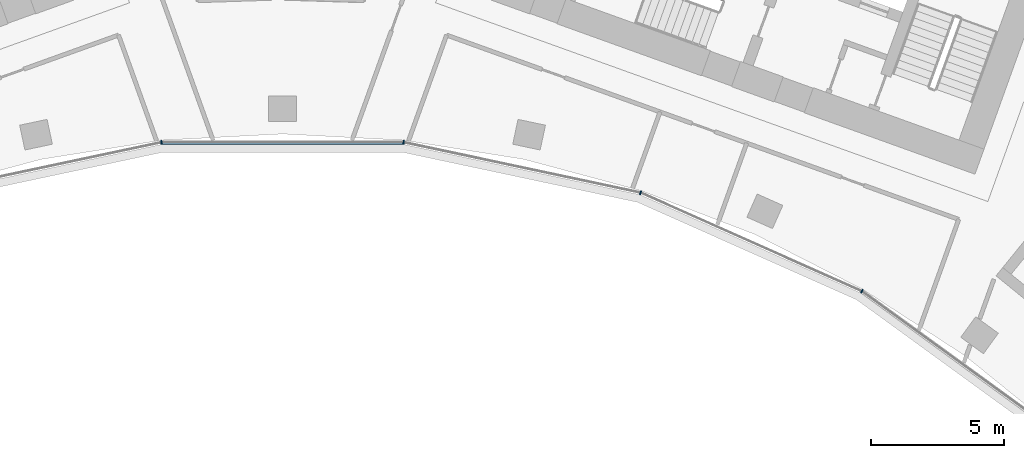
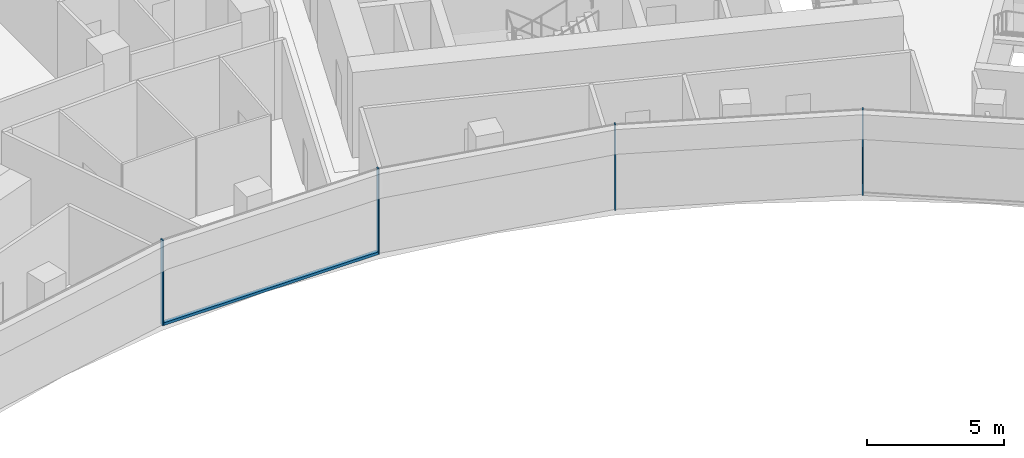
# One storey, part 4 of 16: 5 members, 1 element without a shape of its own.
"""IFC4 building model written with IfcOpenShell, lengths in metres."""

import ifcopenshell
import ifcopenshell.guid

model = None  # the IFC model being written
_history = None  # IfcOwnerHistory: only IFC2X3 demands one
_inside = {}  # id of a spatial element -> (the spatial element, [elements in it])
_under = {}  # id of a project, library or spatial element -> (it, [spatial elements below it])
_declared = {}  # id of a project -> (the project, [libraries it declares])
_typed = {}  # id of a type object -> (the type object, [elements of that type])
_made_of = {}  # id of a material, layer set ... -> (it, [elements and type objects made of it])


def new_model(schema):
    """Start an empty IFC model of exactly this schema.

    Asked for "IFC4X3", IfcOpenShell would pick the latest addendum, in which some entities
    have other attributes; the version numbers below select the first issue.
    IFC2X3 requires an IfcOwnerHistory on every rooted entity: one is made here for all.
    """
    global model, _history
    if schema == "IFC4X3":
        model = ifcopenshell.file(schema_version=(4, 3, 0, 0))
    else:
        model = ifcopenshell.file(schema=schema)
    _inside.clear()
    _under.clear()
    _declared.clear()
    _typed.clear()
    _made_of.clear()
    _history = None
    if model.schema == "IFC2X3":
        org = make("IfcOrganization", Name="unknown")
        user = make(
            "IfcPersonAndOrganization",
            ThePerson=make("IfcPerson", FamilyName="unknown"),
            TheOrganization=org,
        )
        app = make(
            "IfcApplication",
            ApplicationDeveloper=org,
            Version="unknown",
            ApplicationFullName="unknown",
            ApplicationIdentifier="unknown",
        )
        _history = make(
            "IfcOwnerHistory",
            OwningUser=user,
            OwningApplication=app,
            ChangeAction="ADDED",
            CreationDate=0,
        )
    return model


def make(cls, **values):
    """One entity of the class cls with the attributes given. An attribute that is None is left unset."""
    return model.create_entity(
        cls, **{name: value for name, value in values.items() if value is not None}
    )


def rooted(cls, **values):
    """An entity with a GlobalId (a new one), such as an element, a storey or a relation."""
    return make(cls, GlobalId=ifcopenshell.guid.new(), OwnerHistory=_history, **values)


def si_unit(unit_type, name, prefix=None):
    """IfcSIUnit, for example si_unit("LENGTHUNIT", "METRE", prefix="MILLI")."""
    return make("IfcSIUnit", UnitType=unit_type, Prefix=prefix, Name=name)


def assignment(units):
    """IfcUnitAssignment: the units of a project."""
    return None if units is None else make("IfcUnitAssignment", Units=units)


def point(xyz):
    """IfcCartesianPoint."""
    return None if xyz is None else make("IfcCartesianPoint", Coordinates=xyz)


def direction(xyz):
    """IfcDirection."""
    return None if xyz is None else make("IfcDirection", DirectionRatios=xyz)


def frame(location, z_axis=None, x_axis=None):
    """IfcAxis2Placement3D, a coordinate frame: its origin and axes. An axis left out is left unset."""
    return make(
        "IfcAxis2Placement3D",
        Location=point(location),
        Axis=direction(z_axis),
        RefDirection=direction(x_axis),
    )


def frame_2d(location, x_axis=None):
    """IfcAxis2Placement2D, a coordinate frame in the plane: its origin and x axis."""
    return make(
        "IfcAxis2Placement2D", Location=point(location), RefDirection=direction(x_axis)
    )


def origin():
    """The frame at (0, 0, 0) with its axes left unset."""
    return frame((0.0, 0.0, 0.0))


def origin_2d():
    """The frame at (0, 0) in the plane with its x axis left unset."""
    return frame_2d((0.0, 0.0))


def place(relative_to, where):
    """IfcLocalPlacement: puts the frame where relative to a parent placement (None: the world)."""
    return make(
        "IfcLocalPlacement", PlacementRelTo=relative_to, RelativePlacement=where
    )


def context(
    kind, dimensions, precision=None, world=None, true_north=None, identifier=None
):
    """IfcGeometricRepresentationContext, for example the 3D "Model" context."""
    return make(
        "IfcGeometricRepresentationContext",
        ContextIdentifier=identifier,
        ContextType=kind,
        CoordinateSpaceDimension=dimensions,
        Precision=precision,
        WorldCoordinateSystem=world,
        TrueNorth=true_north,
    )


def subcontext(parent, identifier, kind, view, scale=None):
    """IfcGeometricRepresentationSubContext, for example "Body" below "Model"."""
    return make(
        "IfcGeometricRepresentationSubContext",
        ContextIdentifier=identifier,
        ContextType=kind,
        ParentContext=parent,
        TargetScale=scale,
        TargetView=view,
    )


def project(units=None, contexts=None):
    """IfcProject with its units and contexts."""
    return rooted(
        "IfcProject",
        Name="project",
        RepresentationContexts=contexts,
        UnitsInContext=assignment(units),
    )


def spatial(cls, under=None, at=None, **own):
    """A site, building, storey or space (cls), placed at a placement, below another one or the project."""
    s = rooted(cls, ObjectPlacement=at, **own)
    if under is not None:
        _under.setdefault(under.id(), (under, []))[1].append(s)
    return s


def profile(cls, at=None, kind="AREA", **sizes):
    """A parametric profile (cls). Its sizes go by their IFC names, for example OverallWidth=200.0."""
    return make(cls, ProfileType=kind, Position=at, **sizes)


def rectangle(**sizes):
    """IfcRectangleProfileDef."""
    return profile("IfcRectangleProfileDef", **sizes)


def extrude(swept, where, along, depth):
    """IfcExtrudedAreaSolid: the profile swept, set in the frame where, extruded along a direction by depth."""
    return make(
        "IfcExtrudedAreaSolid",
        SweptArea=swept,
        Position=where,
        ExtrudedDirection=direction(along),
        Depth=depth,
    )


def shape(context_of_items, identifier, shape_type, items):
    """IfcShapeRepresentation: the items that make up one representation, for example the "Body"."""
    return make(
        "IfcShapeRepresentation",
        ContextOfItems=context_of_items,
        RepresentationIdentifier=identifier,
        RepresentationType=shape_type,
        Items=items,
    )


def material(Name=None, Category=None):
    """IfcMaterial."""
    return make("IfcMaterial", Name=Name, Category=Category)


def layer(
    of_material, thickness, ventilated=None, Name=None, Category=None, Priority=None
):
    """IfcMaterialLayer: one layer of a wall or slab, of a material (None: an air gap)."""
    return make(
        "IfcMaterialLayer",
        Material=of_material,
        LayerThickness=thickness,
        IsVentilated=ventilated,
        Name=Name,
        Category=Category,
        Priority=Priority,
    )


def layer_set(layers, Name=None):
    """IfcMaterialLayerSet."""
    return make("IfcMaterialLayerSet", MaterialLayers=layers, LayerSetName=Name)


def material_profile(
    of_material, cross_section, Name=None, Category=None, Priority=None
):
    """IfcMaterialProfile: a cross section and its material."""
    return make(
        "IfcMaterialProfile",
        Name=Name,
        Material=of_material,
        Profile=cross_section,
        Priority=Priority,
        Category=Category,
    )


def profile_set(profiles, Name=None, composite=None):
    """IfcMaterialProfileSet."""
    return make(
        "IfcMaterialProfileSet",
        Name=Name,
        MaterialProfiles=profiles,
        CompositeProfile=composite,
    )


def made_of(thing, what):
    """Note that an element or type object is made of a material, layer set ...; save() writes the relation."""
    if what is not None:
        _made_of.setdefault(what.id(), (what, []))[1].append(thing)
    return thing


def type_object(cls, material=None, **own):
    """A type object (cls), such as IfcWallType, which elements share."""
    return made_of(rooted(cls, **own), material)


def element(
    cls,
    number,
    at=None,
    inside=None,
    cuts=None,
    type_object=None,
    material=None,
    context=None,
    identifier="Body",
    shape_type=None,
    held_by="IfcProductDefinitionShape",
    body=None,
    shapes=None,
    **own,
):
    """One element of the class cls, such as IfcWall. Its Tag is "e" and its number.

    at: its placement. inside: the storey or other place that contains it. cuts: it is an
    opening in that element (IfcRelVoidsElement). A single representation is given by context,
    identifier, shape_type and body (its items); several are given by shapes. held_by: the class
    of the entity that holds the representations. save() writes the other relations.
    """
    e = rooted(cls, Tag="e%d" % number, ObjectPlacement=at, **own)
    if body is not None:
        shapes = [shape(context, identifier, shape_type, body)]
    if shapes is not None:
        e.Representation = make(held_by, Representations=shapes)
    if inside is not None:
        _inside.setdefault(inside.id(), (inside, []))[1].append(e)
    if cuts is not None:
        rooted(
            "IfcRelVoidsElement", RelatingBuildingElement=cuts, RelatedOpeningElement=e
        )
    if type_object is not None:
        _typed.setdefault(type_object.id(), (type_object, []))[1].append(e)
    return made_of(e, material)


def aggregate(whole, parts):
    """IfcRelAggregates: a whole, such as a stair, and the parts it consists of."""
    return rooted("IfcRelAggregates", RelatingObject=whole, RelatedObjects=parts)


def save(model, path):
    """Write the relations noted so far, then the file.

    IfcRelAggregates (storeys below a building ...), IfcRelContainedInSpatialStructure (elements
    in a storey), IfcRelDefinesByType, IfcRelAssociatesMaterial and IfcRelDeclares: one each for
    every whole, place, type object, material and project.
    """
    for whole, parts in _under.values():
        aggregate(whole, parts)
    for where, things in _inside.values():
        rooted(
            "IfcRelContainedInSpatialStructure",
            RelatedElements=things,
            RelatingStructure=where,
        )
    for kind, things in _typed.values():
        rooted("IfcRelDefinesByType", RelatedObjects=things, RelatingType=kind)
    for what, things in _made_of.values():
        rooted("IfcRelAssociatesMaterial", RelatedObjects=things, RelatingMaterial=what)
    for by, libraries in _declared.values():
        rooted("IfcRelDeclares", RelatingContext=by, RelatedDefinitions=libraries)
    model.write(path)


model = new_model("IFC4")

# Units and contexts
model_context = context("Model", 3, precision=1e-05, world=origin(), true_north=direction((0.0, 1.0)))
body_context = subcontext(model_context, "Body", "Model", "MODEL_VIEW")
ifc_project = project(units=[si_unit("LENGTHUNIT", "METRE"), si_unit("AREAUNIT", "SQUARE_METRE"), si_unit("VOLUMEUNIT", "CUBIC_METRE"), si_unit("PLANEANGLEUNIT", "RADIAN"), si_unit("MASSUNIT", "GRAM", prefix="KILO")], contexts=[model_context])

# Site, building, storey
site_placement = place(None, origin())
site = spatial("IfcSite", under=ifc_project, at=site_placement, CompositionType="ELEMENT")
building_placement = place(site_placement, origin())
building = spatial("IfcBuilding", under=site, at=building_placement, Name="Stone Belt Terrace Tower", CompositionType="ELEMENT")
storey_placement = place(building_placement, frame((0.0, 0.0, 242.800048828125)))
storey = spatial("IfcBuildingStorey", under=building, at=storey_placement, Name="L59", CompositionType="ELEMENT", Elevation=242.800048828125)

# Curtain wall, members
ifc_material = material(Name="Aluminium 6063-T6 anodised frame", Category="aluminium")
ifc_layer = layer(ifc_material, 0.14990234375)
ifc_layer_set = layer_set([ifc_layer], Name="CW-B unitised concave-face curtain wall")
curtain_wall_type = type_object("IfcCurtainWallType", Name="CW-B unitised concave-face curtain wall", PredefinedType="NOTDEFINED", material=ifc_layer_set)
curtain_wall_placement = place(storey_placement, origin())
curtain_wall = element("IfcCurtainWall", 1, at=curtain_wall_placement, inside=storey, type_object=curtain_wall_type, Name="CW-B concave face L59", PredefinedType="NOTDEFINED")
ifc_material_profile_1 = material_profile(ifc_material, rectangle(XDim=0.14990234375, YDim=0.050048828125, at=origin_2d()), Name="Aluminium 6063-T6 50x150")
ifc_profile_set_1 = profile_set([ifc_material_profile_1], Name="Aluminium 6063-T6 anodised frame")
member_type_1 = type_object("IfcMemberType", Name="CW-B mullion 50 x 150", PredefinedType="MULLION", material=ifc_profile_set_1)
member_1_placement = place(storey_placement, frame((-4.5390625, 43.186767578125, 0.0), z_axis=(0.0, 0.0, 1.0), x_axis=(-0.104528463268, 0.994521895368, 0.0)))
member_1 = element("IfcMember", 2, at=member_1_placement, type_object=member_type_1, Name="CW-B mullion 4", PredefinedType="MULLION", context=body_context, shape_type="SweptSolid", body=[
    extrude(rectangle(XDim=0.14990234375, YDim=0.050048828125, at=origin_2d()), origin(), (0.0, 0.0, 1.0), 3.800048828125),
])
member_2_placement = place(storey_placement, frame((4.5390625, 43.186767578125, 0.0), z_axis=(0.0, 0.0, 1.0), x_axis=(0.104528463268, 0.994521895368, 0.0)))
member_2 = element("IfcMember", 3, at=member_2_placement, type_object=member_type_1, Name="CW-B mullion 5", PredefinedType="MULLION", context=body_context, shape_type="SweptSolid", body=[
    extrude(rectangle(XDim=0.14990234375, YDim=0.050048828125, at=origin_2d()), origin(), (0.0, 0.0, 1.0), 3.800048828125),
])
member_3_placement = place(storey_placement, frame((13.4189453125, 41.29931640625, 0.0), z_axis=(0.0, 0.0, 1.0), x_axis=(0.309016994375, 0.951056516295, 0.0)))
member_3 = element("IfcMember", 4, at=member_3_placement, type_object=member_type_1, Name="CW-B mullion 6", PredefinedType="MULLION", context=body_context, shape_type="SweptSolid", body=[
    extrude(rectangle(XDim=0.14990234375, YDim=0.050048828125, at=origin_2d()), origin(), (0.0, 0.0, 1.0), 3.800048828125),
])
member_4_placement = place(storey_placement, frame((21.71240234375, 37.606689453125, 0.0), z_axis=(0.0, 0.0, 1.0), x_axis=(0.5, 0.866025403784, 0.0)))
member_4 = element("IfcMember", 5, at=member_4_placement, type_object=member_type_1, Name="CW-B mullion 7", PredefinedType="MULLION", context=body_context, shape_type="SweptSolid", body=[
    extrude(rectangle(XDim=0.14990234375, YDim=0.050048828125, at=origin_2d()), origin(), (0.0, 0.0, 1.0), 3.800048828125),
])
ifc_material_profile_2 = material_profile(ifc_material, rectangle(XDim=0.14990234375, YDim=0.1201171875, at=origin_2d()), Name="Aluminium 6063-T6 150x120")
ifc_profile_set_2 = profile_set([ifc_material_profile_2], Name="Aluminium 6063-T6 anodised frame")
member_type_2 = type_object("IfcMemberType", Name="CW-B transom 120 x 150", PredefinedType="USERDEFINED", material=ifc_profile_set_2)
member_5_placement = place(storey_placement, frame((-4.50634765625, 43.186767578125, 0.06005859375), z_axis=(1.0, 0.0, 0.0), x_axis=(0.0, 1.0, 0.0)))
member_5 = element("IfcMember", 6, at=member_5_placement, type_object=member_type_2, Name="CW-B transom 4.1", ObjectType="TRANSOM", PredefinedType="USERDEFINED", context=body_context, shape_type="SweptSolid", body=[
    extrude(rectangle(XDim=0.14990234375, YDim=0.1201171875, at=origin_2d()), origin(), (0.0, 0.0, 1.0), 9.0126953125),
])
aggregate(curtain_wall, [member_1, member_2, member_3, member_4, member_5])

save(model, "model.ifc")
